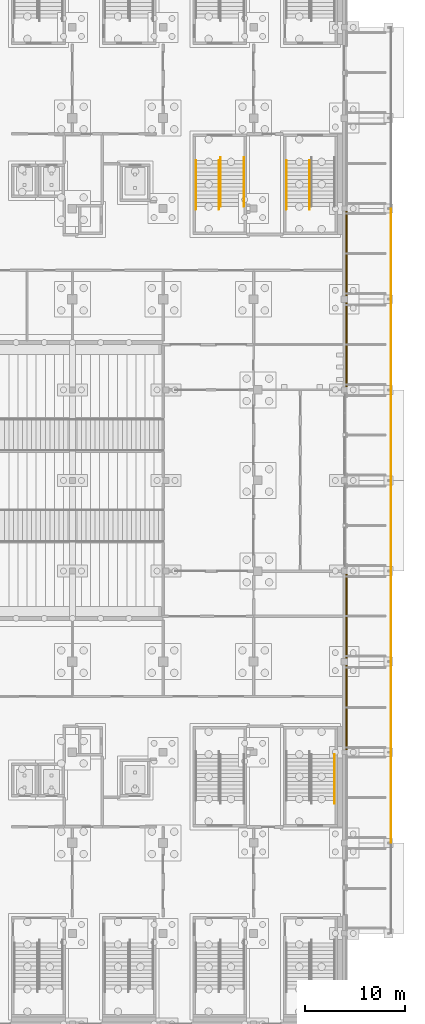
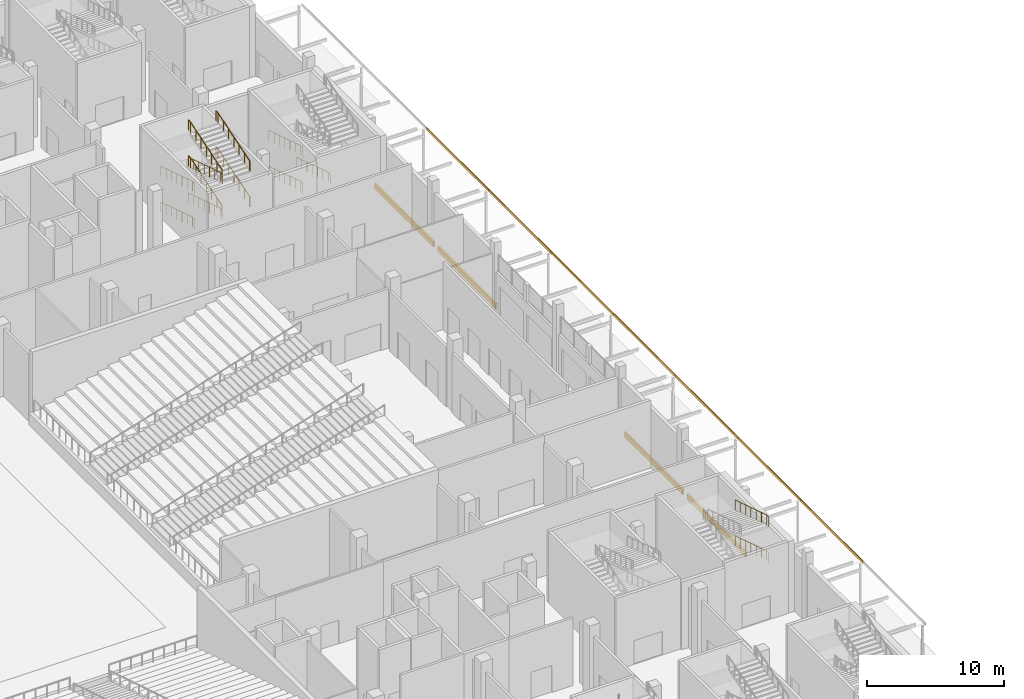
# One storey, part 119 of 129: 13 railings, 11 coverings.
"""IFC4 building model written with IfcOpenShell, lengths in metres."""

from ifc_helpers import new_model, si_unit, direction, frame, origin, origin_2d, place, context, subcontext, project, spatial, rectangle, circle, extrude, material, layer, layer_set, type_object, element, save


model = new_model("IFC4")

# Units and contexts
model_context = context("Model", 3, precision=1e-05, world=origin(), true_north=direction((0.0, 1.0)))
body_context = subcontext(model_context, "Body", "Model", "MODEL_VIEW")
ifc_project = project(units=[si_unit("LENGTHUNIT", "METRE"), si_unit("AREAUNIT", "SQUARE_METRE"), si_unit("VOLUMEUNIT", "CUBIC_METRE"), si_unit("PLANEANGLEUNIT", "RADIAN"), si_unit("MASSUNIT", "GRAM", prefix="KILO")], contexts=[model_context])

# Site, building, storey
site_placement = place(None, origin())
site = spatial("IfcSite", under=ifc_project, at=site_placement, CompositionType="ELEMENT")
building_placement = place(site_placement, origin())
building = spatial("IfcBuilding", under=site, at=building_placement, Name="Shirokan Park Arena", CompositionType="ELEMENT")
storey_placement = place(building_placement, origin())
storey = spatial("IfcBuildingStorey", under=building, at=storey_placement, Name="L00", CompositionType="ELEMENT", Elevation=0.0)

# Coverings
ifc_material_1 = material(Name="Timber fascia (cedar)", Category="wood")
ifc_layer_1 = layer(ifc_material_1, 0.050048828125)
ifc_layer_set_1 = layer_set([ifc_layer_1], Name="Timber fascia (cedar) 50 mm")
covering_type_1 = type_object("IfcCoveringType", Name="Canopy fascia 50x250", PredefinedType="CLADDING", material=ifc_layer_set_1)
for number, where, z_axis, x_axis, name in (
    (1, (150.27490234375, 22.75, 3.5), (0.0, 0.0, 1.0), (0.0, 1.0, 0.0), "Canopy fascia east bay 3"),
    (2, (150.27490234375, 31.85009765625, 3.5), (0.0, 0.0, 1.0), (0.0, 1.0, 0.0), "Canopy fascia east bay 4"),
    (3, (150.27490234375, 40.949951171875, 3.5), (0.0, 0.0, 1.0), (0.0, 1.0, 0.0), "Canopy fascia east bay 5"),
    (4, (150.27490234375, 50.050048828125, 3.5), (0.0, 0.0, 1.0), (0.0, 1.0, 0.0), "Canopy fascia east bay 6"),
    (5, (150.27490234375, 59.14990234375, 3.5), (0.0, 0.0, 1.0), (0.0, 1.0, 0.0), "Canopy fascia east bay 7"),
    (6, (150.27490234375, 68.25, 3.5), (0.0, 0.0, 1.0), (0.0, 1.0, 0.0), "Canopy fascia east bay 8"),
    (7, (150.27490234375, 77.35009765625, 3.5), (0.0, 0.0, 1.0), (0.0, 1.0, 0.0), "Canopy fascia east bay 9"),
):
    element("IfcCovering", number, at=place(storey_placement, frame(where, z_axis=z_axis, x_axis=x_axis)), inside=storey, type_object=covering_type_1, Name=name, PredefinedType="CLADDING", context=body_context, shape_type="SweptSolid", body=[
        extrude(rectangle(XDim=9.10009765625, YDim=0.050048828125, at=origin_2d()), origin(), (0.0, 0.0, 1.0), 0.25),
    ])

# Railings
ifc_material_2 = material(Name="Stainless steel", Category="steel")
railing_type = type_object("IfcRailingType", Name="Stair handrail 900", PredefinedType="HANDRAIL", material=ifc_material_2)
railing_1_placement = place(storey_placement, frame((144.610107421875, 27.070068359375, 1.715087890625)))
element("IfcRailing", 8, at=railing_1_placement, inside=storey, type_object=railing_type, Name="Handrail Exit Stair 2.E L00 to L01", PredefinedType="HANDRAIL", context=body_context, shape_type="SweptSolid", body=[
    extrude(circle(Radius=0.02392578125, at=origin_2d()), frame((0.0, 0.0, 0.8759765625), z_axis=(0.0, -0.952929747917, 0.303191186441), x_axis=(1.0, 0.0, 0.0)), (0.0, 0.0, 1.0), 1.6162109375),
    extrude(circle(Radius=0.02392578125, at=origin_2d()), frame((0.0, -1.5400390625, 1.36572265625), z_axis=(0.0, -0.952929747917, 0.303191186441), x_axis=(1.0, 0.0, 0.0)), (0.0, 0.0, 1.0), 1.6162109375),
    extrude(circle(Radius=0.02392578125, at=origin_2d()), frame((0.0, -3.080078125, 1.85595703125), z_axis=(0.0, -0.952929747917, 0.303191186441), x_axis=(1.0, 0.0, 0.0)), (0.0, 0.0, 1.0), 1.6162109375),
    extrude(circle(Radius=0.02392578125, at=origin_2d()), frame((0.0, -4.6201171875, 2.345703125), z_axis=(0.0, -1.0, 0.0), x_axis=(1.0, 0.0, 0.0)), (0.0, 0.0, 1.0), 0.300048828125),
    extrude(circle(Radius=0.02099609375, at=origin_2d()), origin(), (0.0, 0.0, 1.0), 0.851806640625),
    extrude(circle(Radius=0.02099609375, at=origin_2d()), frame((0.0, -0.77001953125, 0.2451171875)), (0.0, 0.0, 1.0), 0.851806640625),
    extrude(circle(Radius=0.02099609375, at=origin_2d()), frame((0.0, -1.5400390625, 0.489990234375)), (0.0, 0.0, 1.0), 0.851806640625),
    extrude(circle(Radius=0.02099609375, at=origin_2d()), frame((0.0, -2.31005859375, 0.73486328125)), (0.0, 0.0, 1.0), 0.851806640625),
    extrude(circle(Radius=0.02099609375, at=origin_2d()), frame((0.0, -3.080078125, 0.97998046875)), (0.0, 0.0, 1.0), 0.851806640625),
    extrude(circle(Radius=0.02099609375, at=origin_2d()), frame((0.0, -3.85009765625, 1.22509765625)), (0.0, 0.0, 1.0), 0.851806640625),
    extrude(circle(Radius=0.02099609375, at=origin_2d()), frame((0.0, -4.6201171875, 1.469970703125)), (0.0, 0.0, 1.0), 0.851806640625),
    extrude(circle(Radius=0.02099609375, at=origin_2d()), frame((0.0, -4.920166015625, 1.469970703125)), (0.0, 0.0, 1.0), 0.851806640625),
])
railing_2_placement = place(storey_placement, frame((144.610107421875, 27.070068359375, 4.89990234375)))
element("IfcRailing", 9, at=railing_2_placement, inside=storey, type_object=railing_type, Name="Handrail Exit Stair 2.E L00 to L01", PredefinedType="HANDRAIL", context=body_context, shape_type="SweptSolid", body=[
    extrude(circle(Radius=0.02392578125, at=origin_2d()), frame((0.0, 0.0, 0.8759765625), z_axis=(0.0, -0.952929747917, 0.303191186441), x_axis=(1.0, 0.0, 0.0)), (0.0, 0.0, 1.0), 1.6162109375),
    extrude(circle(Radius=0.02392578125, at=origin_2d()), frame((0.0, -1.5400390625, 1.36572265625), z_axis=(0.0, -0.952929747917, 0.303191186441), x_axis=(1.0, 0.0, 0.0)), (0.0, 0.0, 1.0), 1.6162109375),
    extrude(circle(Radius=0.02392578125, at=origin_2d()), frame((0.0, -3.080078125, 1.85595703125), z_axis=(0.0, -0.952886093821, 0.303328357069), x_axis=(1.0, 0.0, 0.0)), (0.0, 0.0, 1.0), 1.6162109375),
    extrude(circle(Radius=0.02392578125, at=origin_2d()), frame((0.0, -4.6201171875, 2.34619140625), z_axis=(0.0, -1.0, 0.0), x_axis=(1.0, 0.0, 0.0)), (0.0, 0.0, 1.0), 0.300048828125),
    extrude(circle(Radius=0.02099609375, at=origin_2d()), origin(), (0.0, 0.0, 1.0), 0.851806640625),
    extrude(circle(Radius=0.02099609375, at=origin_2d()), frame((0.0, -0.77001953125, 0.2451171875)), (0.0, 0.0, 1.0), 0.851806640625),
    extrude(circle(Radius=0.02099609375, at=origin_2d()), frame((0.0, -1.5400390625, 0.489990234375)), (0.0, 0.0, 1.0), 0.851806640625),
    extrude(circle(Radius=0.02099609375, at=origin_2d()), frame((0.0, -2.31005859375, 0.73486328125)), (0.0, 0.0, 1.0), 0.851806640625),
    extrude(circle(Radius=0.02099609375, at=origin_2d()), frame((0.0, -3.080078125, 0.97998046875)), (0.0, 0.0, 1.0), 0.851806640625),
    extrude(circle(Radius=0.02099609375, at=origin_2d()), frame((0.0, -3.85009765625, 1.22509765625)), (0.0, 0.0, 1.0), 0.851806640625),
    extrude(circle(Radius=0.02099609375, at=origin_2d()), frame((0.0, -4.6201171875, 1.47021484375)), (0.0, 0.0, 1.0), 0.851806640625),
    extrude(circle(Radius=0.02099609375, at=origin_2d()), frame((0.0, -4.920166015625, 1.47021484375)), (0.0, 0.0, 1.0), 0.851806640625),
])
railing_3_placement = place(storey_placement, frame((139.7900390625, 86.75, 0.12255859375)))
element("IfcRailing", 10, at=railing_3_placement, inside=storey, type_object=railing_type, Name="Handrail Exit Stair 3.E L00 to L01", PredefinedType="HANDRAIL", context=body_context, shape_type="SweptSolid", body=[
    extrude(circle(Radius=0.02392578125, at=origin_2d()), frame((0.0, 0.0, 0.8759765625), z_axis=(0.0, -0.952929747917, 0.303191186441), x_axis=(1.0, 0.0, 0.0)), (0.0, 0.0, 1.0), 1.6162109375),
    extrude(circle(Radius=0.02392578125, at=origin_2d()), frame((0.0, -1.5400390625, 1.36572265625), z_axis=(0.0, -0.952929747917, 0.303191186441), x_axis=(1.0, 0.0, 0.0)), (0.0, 0.0, 1.0), 1.6162109375),
    extrude(circle(Radius=0.02392578125, at=origin_2d()), frame((0.0, -3.080078125, 1.85595703125), z_axis=(0.0, -0.952929747917, 0.303191186441), x_axis=(1.0, 0.0, 0.0)), (0.0, 0.0, 1.0), 1.6162109375),
    extrude(circle(Radius=0.02392578125, at=origin_2d()), frame((0.0, -4.6201171875, 2.345703125), z_axis=(0.0, -1.0, 0.0), x_axis=(1.0, 0.0, 0.0)), (0.0, 0.0, 1.0), 0.2998046875),
    extrude(circle(Radius=0.02099609375, at=origin_2d()), origin(), (0.0, 0.0, 1.0), 0.851806640625),
    extrude(circle(Radius=0.02099609375, at=origin_2d()), frame((0.0, -0.77001953125, 0.2451171875)), (0.0, 0.0, 1.0), 0.851806640625),
    extrude(circle(Radius=0.02099609375, at=origin_2d()), frame((0.0, -1.5400390625, 0.489990234375)), (0.0, 0.0, 1.0), 0.851806640625),
    extrude(circle(Radius=0.02099609375, at=origin_2d()), frame((0.0, -2.31005859375, 0.73486328125)), (0.0, 0.0, 1.0), 0.851806640625),
    extrude(circle(Radius=0.02099609375, at=origin_2d()), frame((0.0, -3.080078125, 0.97998046875)), (0.0, 0.0, 1.0), 0.851806640625),
    extrude(circle(Radius=0.02099609375, at=origin_2d()), frame((0.0, -3.85009765625, 1.22509765625)), (0.0, 0.0, 1.0), 0.851806640625),
    extrude(circle(Radius=0.02099609375, at=origin_2d()), frame((0.0, -4.6201171875, 1.469970703125)), (0.0, 0.0, 1.0), 0.851806640625),
    extrude(circle(Radius=0.02099609375, at=origin_2d()), frame((0.0, -4.919921875, 1.469970703125)), (0.0, 0.0, 1.0), 0.851806640625),
])
railing_4_placement = place(storey_placement, frame((142.110107421875, 86.75, 0.12255859375)))
element("IfcRailing", 11, at=railing_4_placement, inside=storey, type_object=railing_type, Name="Handrail Exit Stair 3.E L00 to L01", PredefinedType="HANDRAIL", context=body_context, shape_type="SweptSolid", body=[
    extrude(circle(Radius=0.02392578125, at=origin_2d()), frame((0.0, 0.0, 0.8759765625), z_axis=(0.0, -0.952929747917, 0.303191186441), x_axis=(1.0, 0.0, 0.0)), (0.0, 0.0, 1.0), 1.6162109375),
    extrude(circle(Radius=0.02392578125, at=origin_2d()), frame((0.0, -1.5400390625, 1.36572265625), z_axis=(0.0, -0.952929747917, 0.303191186441), x_axis=(1.0, 0.0, 0.0)), (0.0, 0.0, 1.0), 1.6162109375),
    extrude(circle(Radius=0.02392578125, at=origin_2d()), frame((0.0, -3.080078125, 1.85595703125), z_axis=(0.0, -0.952929747917, 0.303191186441), x_axis=(1.0, 0.0, 0.0)), (0.0, 0.0, 1.0), 1.6162109375),
    extrude(circle(Radius=0.02392578125, at=origin_2d()), frame((0.0, -4.6201171875, 2.345703125), z_axis=(0.0, -1.0, 0.0), x_axis=(1.0, 0.0, 0.0)), (0.0, 0.0, 1.0), 0.2998046875),
    extrude(circle(Radius=0.02099609375, at=origin_2d()), origin(), (0.0, 0.0, 1.0), 0.851806640625),
    extrude(circle(Radius=0.02099609375, at=origin_2d()), frame((0.0, -0.77001953125, 0.2451171875)), (0.0, 0.0, 1.0), 0.851806640625),
    extrude(circle(Radius=0.02099609375, at=origin_2d()), frame((0.0, -1.5400390625, 0.489990234375)), (0.0, 0.0, 1.0), 0.851806640625),
    extrude(circle(Radius=0.02099609375, at=origin_2d()), frame((0.0, -2.31005859375, 0.73486328125)), (0.0, 0.0, 1.0), 0.851806640625),
    extrude(circle(Radius=0.02099609375, at=origin_2d()), frame((0.0, -3.080078125, 0.97998046875)), (0.0, 0.0, 1.0), 0.851806640625),
    extrude(circle(Radius=0.02099609375, at=origin_2d()), frame((0.0, -3.85009765625, 1.22509765625)), (0.0, 0.0, 1.0), 0.851806640625),
    extrude(circle(Radius=0.02099609375, at=origin_2d()), frame((0.0, -4.6201171875, 1.469970703125)), (0.0, 0.0, 1.0), 0.851806640625),
    extrude(circle(Radius=0.02099609375, at=origin_2d()), frame((0.0, -4.919921875, 1.469970703125)), (0.0, 0.0, 1.0), 0.851806640625),
])
railing_5_placement = place(storey_placement, frame((139.7900390625, 86.75, 3.3076171875)))
element("IfcRailing", 12, at=railing_5_placement, inside=storey, type_object=railing_type, Name="Handrail Exit Stair 3.E L00 to L01", PredefinedType="HANDRAIL", context=body_context, shape_type="SweptSolid", body=[
    extrude(circle(Radius=0.02392578125, at=origin_2d()), frame((0.0, 0.0, 0.8759765625), z_axis=(0.0, -0.952929747917, 0.303191186441), x_axis=(1.0, 0.0, 0.0)), (0.0, 0.0, 1.0), 1.6162109375),
    extrude(circle(Radius=0.02392578125, at=origin_2d()), frame((0.0, -1.5400390625, 1.36572265625), z_axis=(0.0, -0.952929747917, 0.303191186441), x_axis=(1.0, 0.0, 0.0)), (0.0, 0.0, 1.0), 1.6162109375),
    extrude(circle(Radius=0.02392578125, at=origin_2d()), frame((0.0, -3.080078125, 1.85595703125), z_axis=(0.0, -0.952929747917, 0.303191186441), x_axis=(1.0, 0.0, 0.0)), (0.0, 0.0, 1.0), 1.6162109375),
    extrude(circle(Radius=0.02392578125, at=origin_2d()), frame((0.0, -4.6201171875, 2.345703125), z_axis=(0.0, -1.0, 0.0), x_axis=(1.0, 0.0, 0.0)), (0.0, 0.0, 1.0), 0.2998046875),
    extrude(circle(Radius=0.02099609375, at=origin_2d()), origin(), (0.0, 0.0, 1.0), 0.851806640625),
    extrude(circle(Radius=0.02099609375, at=origin_2d()), frame((0.0, -0.77001953125, 0.2451171875)), (0.0, 0.0, 1.0), 0.851806640625),
    extrude(circle(Radius=0.02099609375, at=origin_2d()), frame((0.0, -1.5400390625, 0.489990234375)), (0.0, 0.0, 1.0), 0.851806640625),
    extrude(circle(Radius=0.02099609375, at=origin_2d()), frame((0.0, -2.31005859375, 0.73486328125)), (0.0, 0.0, 1.0), 0.851806640625),
    extrude(circle(Radius=0.02099609375, at=origin_2d()), frame((0.0, -3.080078125, 0.97998046875)), (0.0, 0.0, 1.0), 0.851806640625),
    extrude(circle(Radius=0.02099609375, at=origin_2d()), frame((0.0, -3.85009765625, 1.22509765625)), (0.0, 0.0, 1.0), 0.851806640625),
    extrude(circle(Radius=0.02099609375, at=origin_2d()), frame((0.0, -4.6201171875, 1.469970703125)), (0.0, 0.0, 1.0), 0.851806640625),
    extrude(circle(Radius=0.02099609375, at=origin_2d()), frame((0.0, -4.919921875, 1.469970703125)), (0.0, 0.0, 1.0), 0.851806640625),
])
railing_6_placement = place(storey_placement, frame((130.68994140625, 86.75, 0.12255859375)))
element("IfcRailing", 13, at=railing_6_placement, inside=storey, type_object=railing_type, Name="Handrail Exit Stair 3.F L00 to L01", PredefinedType="HANDRAIL", context=body_context, shape_type="SweptSolid", body=[
    extrude(circle(Radius=0.02392578125, at=origin_2d()), frame((0.0, 0.0, 0.8759765625), z_axis=(0.0, -0.952929747917, 0.303191186441), x_axis=(1.0, 0.0, 0.0)), (0.0, 0.0, 1.0), 1.6162109375),
    extrude(circle(Radius=0.02392578125, at=origin_2d()), frame((0.0, -1.5400390625, 1.36572265625), z_axis=(0.0, -0.952929747917, 0.303191186441), x_axis=(1.0, 0.0, 0.0)), (0.0, 0.0, 1.0), 1.6162109375),
    extrude(circle(Radius=0.02392578125, at=origin_2d()), frame((0.0, -3.080078125, 1.85595703125), z_axis=(0.0, -0.952929747917, 0.303191186441), x_axis=(1.0, 0.0, 0.0)), (0.0, 0.0, 1.0), 1.6162109375),
    extrude(circle(Radius=0.02392578125, at=origin_2d()), frame((0.0, -4.6201171875, 2.345703125), z_axis=(0.0, -1.0, 0.0), x_axis=(1.0, 0.0, 0.0)), (0.0, 0.0, 1.0), 0.2998046875),
    extrude(circle(Radius=0.02099609375, at=origin_2d()), origin(), (0.0, 0.0, 1.0), 0.851806640625),
    extrude(circle(Radius=0.02099609375, at=origin_2d()), frame((0.0, -0.77001953125, 0.2451171875)), (0.0, 0.0, 1.0), 0.851806640625),
    extrude(circle(Radius=0.02099609375, at=origin_2d()), frame((0.0, -1.5400390625, 0.489990234375)), (0.0, 0.0, 1.0), 0.851806640625),
    extrude(circle(Radius=0.02099609375, at=origin_2d()), frame((0.0, -2.31005859375, 0.73486328125)), (0.0, 0.0, 1.0), 0.851806640625),
    extrude(circle(Radius=0.02099609375, at=origin_2d()), frame((0.0, -3.080078125, 0.97998046875)), (0.0, 0.0, 1.0), 0.851806640625),
    extrude(circle(Radius=0.02099609375, at=origin_2d()), frame((0.0, -3.85009765625, 1.22509765625)), (0.0, 0.0, 1.0), 0.851806640625),
    extrude(circle(Radius=0.02099609375, at=origin_2d()), frame((0.0, -4.6201171875, 1.469970703125)), (0.0, 0.0, 1.0), 0.851806640625),
    extrude(circle(Radius=0.02099609375, at=origin_2d()), frame((0.0, -4.919921875, 1.469970703125)), (0.0, 0.0, 1.0), 0.851806640625),
])
railing_7_placement = place(storey_placement, frame((133.010009765625, 86.75, 0.12255859375)))
element("IfcRailing", 14, at=railing_7_placement, inside=storey, type_object=railing_type, Name="Handrail Exit Stair 3.F L00 to L01", PredefinedType="HANDRAIL", context=body_context, shape_type="SweptSolid", body=[
    extrude(circle(Radius=0.02392578125, at=origin_2d()), frame((0.0, 0.0, 0.8759765625), z_axis=(0.0, -0.952929747917, 0.303191186441), x_axis=(1.0, 0.0, 0.0)), (0.0, 0.0, 1.0), 1.6162109375),
    extrude(circle(Radius=0.02392578125, at=origin_2d()), frame((0.0, -1.5400390625, 1.36572265625), z_axis=(0.0, -0.952929747917, 0.303191186441), x_axis=(1.0, 0.0, 0.0)), (0.0, 0.0, 1.0), 1.6162109375),
    extrude(circle(Radius=0.02392578125, at=origin_2d()), frame((0.0, -3.080078125, 1.85595703125), z_axis=(0.0, -0.952929747917, 0.303191186441), x_axis=(1.0, 0.0, 0.0)), (0.0, 0.0, 1.0), 1.6162109375),
    extrude(circle(Radius=0.02392578125, at=origin_2d()), frame((0.0, -4.6201171875, 2.345703125), z_axis=(0.0, -1.0, 0.0), x_axis=(1.0, 0.0, 0.0)), (0.0, 0.0, 1.0), 0.2998046875),
    extrude(circle(Radius=0.02099609375, at=origin_2d()), origin(), (0.0, 0.0, 1.0), 0.851806640625),
    extrude(circle(Radius=0.02099609375, at=origin_2d()), frame((0.0, -0.77001953125, 0.2451171875)), (0.0, 0.0, 1.0), 0.851806640625),
    extrude(circle(Radius=0.02099609375, at=origin_2d()), frame((0.0, -1.5400390625, 0.489990234375)), (0.0, 0.0, 1.0), 0.851806640625),
    extrude(circle(Radius=0.02099609375, at=origin_2d()), frame((0.0, -2.31005859375, 0.73486328125)), (0.0, 0.0, 1.0), 0.851806640625),
    extrude(circle(Radius=0.02099609375, at=origin_2d()), frame((0.0, -3.080078125, 0.97998046875)), (0.0, 0.0, 1.0), 0.851806640625),
    extrude(circle(Radius=0.02099609375, at=origin_2d()), frame((0.0, -3.85009765625, 1.22509765625)), (0.0, 0.0, 1.0), 0.851806640625),
    extrude(circle(Radius=0.02099609375, at=origin_2d()), frame((0.0, -4.6201171875, 1.469970703125)), (0.0, 0.0, 1.0), 0.851806640625),
    extrude(circle(Radius=0.02099609375, at=origin_2d()), frame((0.0, -4.919921875, 1.469970703125)), (0.0, 0.0, 1.0), 0.851806640625),
])
railing_8_placement = place(storey_placement, frame((133.18994140625, 82.1298828125, 1.715087890625)))
element("IfcRailing", 15, at=railing_8_placement, inside=storey, type_object=railing_type, Name="Handrail Exit Stair 3.F L00 to L01", PredefinedType="HANDRAIL", context=body_context, shape_type="SweptSolid", body=[
    extrude(circle(Radius=0.02392578125, at=origin_2d()), frame((0.0, 0.0, 0.8759765625), z_axis=(0.0, 0.952929747917, 0.303191186441), x_axis=(-1.0, 0.0, 0.0)), (0.0, 0.0, 1.0), 1.6162109375),
    extrude(circle(Radius=0.02392578125, at=origin_2d()), frame((0.0, 1.5400390625, 1.36572265625), z_axis=(0.0, 0.952929747917, 0.303191186441), x_axis=(-1.0, 0.0, 0.0)), (0.0, 0.0, 1.0), 1.6162109375),
    extrude(circle(Radius=0.02392578125, at=origin_2d()), frame((0.0, 3.080078125, 1.85595703125), z_axis=(0.0, 0.952929747917, 0.303191186441), x_axis=(-1.0, 0.0, 0.0)), (0.0, 0.0, 1.0), 1.6162109375),
    extrude(circle(Radius=0.02392578125, at=origin_2d()), frame((0.0, 4.6201171875, 2.345703125), z_axis=(0.0, 1.0, 0.0), x_axis=(-1.0, 0.0, 0.0)), (0.0, 0.0, 1.0), 0.300048828125),
    extrude(circle(Radius=0.02099609375, at=origin_2d()), origin(), (0.0, 0.0, 1.0), 0.851806640625),
    extrude(circle(Radius=0.02099609375, at=origin_2d()), frame((0.0, 0.77001953125, 0.2451171875)), (0.0, 0.0, 1.0), 0.851806640625),
    extrude(circle(Radius=0.02099609375, at=origin_2d()), frame((0.0, 1.5400390625, 0.489990234375)), (0.0, 0.0, 1.0), 0.851806640625),
    extrude(circle(Radius=0.02099609375, at=origin_2d()), frame((0.0, 2.31005859375, 0.73486328125)), (0.0, 0.0, 1.0), 0.851806640625),
    extrude(circle(Radius=0.02099609375, at=origin_2d()), frame((0.0, 3.080078125, 0.97998046875)), (0.0, 0.0, 1.0), 0.851806640625),
    extrude(circle(Radius=0.02099609375, at=origin_2d()), frame((0.0, 3.85009765625, 1.22509765625)), (0.0, 0.0, 1.0), 0.851806640625),
    extrude(circle(Radius=0.02099609375, at=origin_2d()), frame((0.0, 4.6201171875, 1.469970703125)), (0.0, 0.0, 1.0), 0.851806640625),
    extrude(circle(Radius=0.02099609375, at=origin_2d()), frame((0.0, 4.920166015625, 1.469970703125)), (0.0, 0.0, 1.0), 0.851806640625),
])
railing_9_placement = place(storey_placement, frame((135.510009765625, 82.1298828125, 1.715087890625)))
element("IfcRailing", 16, at=railing_9_placement, inside=storey, type_object=railing_type, Name="Handrail Exit Stair 3.F L00 to L01", PredefinedType="HANDRAIL", context=body_context, shape_type="SweptSolid", body=[
    extrude(circle(Radius=0.02392578125, at=origin_2d()), frame((0.0, 0.0, 0.8759765625), z_axis=(0.0, 0.952929747917, 0.303191186441), x_axis=(-1.0, 0.0, 0.0)), (0.0, 0.0, 1.0), 1.6162109375),
    extrude(circle(Radius=0.02392578125, at=origin_2d()), frame((0.0, 1.5400390625, 1.36572265625), z_axis=(0.0, 0.952929747917, 0.303191186441), x_axis=(-1.0, 0.0, 0.0)), (0.0, 0.0, 1.0), 1.6162109375),
    extrude(circle(Radius=0.02392578125, at=origin_2d()), frame((0.0, 3.080078125, 1.85595703125), z_axis=(0.0, 0.952929747917, 0.303191186441), x_axis=(-1.0, 0.0, 0.0)), (0.0, 0.0, 1.0), 1.6162109375),
    extrude(circle(Radius=0.02392578125, at=origin_2d()), frame((0.0, 4.6201171875, 2.345703125), z_axis=(0.0, 1.0, 0.0), x_axis=(-1.0, 0.0, 0.0)), (0.0, 0.0, 1.0), 0.300048828125),
    extrude(circle(Radius=0.02099609375, at=origin_2d()), origin(), (0.0, 0.0, 1.0), 0.851806640625),
    extrude(circle(Radius=0.02099609375, at=origin_2d()), frame((0.0, 0.77001953125, 0.2451171875)), (0.0, 0.0, 1.0), 0.851806640625),
    extrude(circle(Radius=0.02099609375, at=origin_2d()), frame((0.0, 1.5400390625, 0.489990234375)), (0.0, 0.0, 1.0), 0.851806640625),
    extrude(circle(Radius=0.02099609375, at=origin_2d()), frame((0.0, 2.31005859375, 0.73486328125)), (0.0, 0.0, 1.0), 0.851806640625),
    extrude(circle(Radius=0.02099609375, at=origin_2d()), frame((0.0, 3.080078125, 0.97998046875)), (0.0, 0.0, 1.0), 0.851806640625),
    extrude(circle(Radius=0.02099609375, at=origin_2d()), frame((0.0, 3.85009765625, 1.22509765625)), (0.0, 0.0, 1.0), 0.851806640625),
    extrude(circle(Radius=0.02099609375, at=origin_2d()), frame((0.0, 4.6201171875, 1.469970703125)), (0.0, 0.0, 1.0), 0.851806640625),
    extrude(circle(Radius=0.02099609375, at=origin_2d()), frame((0.0, 4.920166015625, 1.469970703125)), (0.0, 0.0, 1.0), 0.851806640625),
])
railing_10_placement = place(storey_placement, frame((130.68994140625, 86.75, 3.3076171875)))
element("IfcRailing", 17, at=railing_10_placement, inside=storey, type_object=railing_type, Name="Handrail Exit Stair 3.F L00 to L01", PredefinedType="HANDRAIL", context=body_context, shape_type="SweptSolid", body=[
    extrude(circle(Radius=0.02392578125, at=origin_2d()), frame((0.0, 0.0, 0.8759765625), z_axis=(0.0, -0.952929747917, 0.303191186441), x_axis=(1.0, 0.0, 0.0)), (0.0, 0.0, 1.0), 1.6162109375),
    extrude(circle(Radius=0.02392578125, at=origin_2d()), frame((0.0, -1.5400390625, 1.36572265625), z_axis=(0.0, -0.952929747917, 0.303191186441), x_axis=(1.0, 0.0, 0.0)), (0.0, 0.0, 1.0), 1.6162109375),
    extrude(circle(Radius=0.02392578125, at=origin_2d()), frame((0.0, -3.080078125, 1.85595703125), z_axis=(0.0, -0.952929747917, 0.303191186441), x_axis=(1.0, 0.0, 0.0)), (0.0, 0.0, 1.0), 1.6162109375),
    extrude(circle(Radius=0.02392578125, at=origin_2d()), frame((0.0, -4.6201171875, 2.345703125), z_axis=(0.0, -1.0, 0.0), x_axis=(1.0, 0.0, 0.0)), (0.0, 0.0, 1.0), 0.2998046875),
    extrude(circle(Radius=0.02099609375, at=origin_2d()), origin(), (0.0, 0.0, 1.0), 0.851806640625),
    extrude(circle(Radius=0.02099609375, at=origin_2d()), frame((0.0, -0.77001953125, 0.2451171875)), (0.0, 0.0, 1.0), 0.851806640625),
    extrude(circle(Radius=0.02099609375, at=origin_2d()), frame((0.0, -1.5400390625, 0.489990234375)), (0.0, 0.0, 1.0), 0.851806640625),
    extrude(circle(Radius=0.02099609375, at=origin_2d()), frame((0.0, -2.31005859375, 0.73486328125)), (0.0, 0.0, 1.0), 0.851806640625),
    extrude(circle(Radius=0.02099609375, at=origin_2d()), frame((0.0, -3.080078125, 0.97998046875)), (0.0, 0.0, 1.0), 0.851806640625),
    extrude(circle(Radius=0.02099609375, at=origin_2d()), frame((0.0, -3.85009765625, 1.22509765625)), (0.0, 0.0, 1.0), 0.851806640625),
    extrude(circle(Radius=0.02099609375, at=origin_2d()), frame((0.0, -4.6201171875, 1.469970703125)), (0.0, 0.0, 1.0), 0.851806640625),
    extrude(circle(Radius=0.02099609375, at=origin_2d()), frame((0.0, -4.919921875, 1.469970703125)), (0.0, 0.0, 1.0), 0.851806640625),
])
railing_11_placement = place(storey_placement, frame((133.010009765625, 86.75, 3.3076171875)))
element("IfcRailing", 18, at=railing_11_placement, inside=storey, type_object=railing_type, Name="Handrail Exit Stair 3.F L00 to L01", PredefinedType="HANDRAIL", context=body_context, shape_type="SweptSolid", body=[
    extrude(circle(Radius=0.02392578125, at=origin_2d()), frame((0.0, 0.0, 0.8759765625), z_axis=(0.0, -0.952929747917, 0.303191186441), x_axis=(1.0, 0.0, 0.0)), (0.0, 0.0, 1.0), 1.6162109375),
    extrude(circle(Radius=0.02392578125, at=origin_2d()), frame((0.0, -1.5400390625, 1.36572265625), z_axis=(0.0, -0.952929747917, 0.303191186441), x_axis=(1.0, 0.0, 0.0)), (0.0, 0.0, 1.0), 1.6162109375),
    extrude(circle(Radius=0.02392578125, at=origin_2d()), frame((0.0, -3.080078125, 1.85595703125), z_axis=(0.0, -0.952929747917, 0.303191186441), x_axis=(1.0, 0.0, 0.0)), (0.0, 0.0, 1.0), 1.6162109375),
    extrude(circle(Radius=0.02392578125, at=origin_2d()), frame((0.0, -4.6201171875, 2.345703125), z_axis=(0.0, -1.0, 0.0), x_axis=(1.0, 0.0, 0.0)), (0.0, 0.0, 1.0), 0.2998046875),
    extrude(circle(Radius=0.02099609375, at=origin_2d()), origin(), (0.0, 0.0, 1.0), 0.851806640625),
    extrude(circle(Radius=0.02099609375, at=origin_2d()), frame((0.0, -0.77001953125, 0.2451171875)), (0.0, 0.0, 1.0), 0.851806640625),
    extrude(circle(Radius=0.02099609375, at=origin_2d()), frame((0.0, -1.5400390625, 0.489990234375)), (0.0, 0.0, 1.0), 0.851806640625),
    extrude(circle(Radius=0.02099609375, at=origin_2d()), frame((0.0, -2.31005859375, 0.73486328125)), (0.0, 0.0, 1.0), 0.851806640625),
    extrude(circle(Radius=0.02099609375, at=origin_2d()), frame((0.0, -3.080078125, 0.97998046875)), (0.0, 0.0, 1.0), 0.851806640625),
    extrude(circle(Radius=0.02099609375, at=origin_2d()), frame((0.0, -3.85009765625, 1.22509765625)), (0.0, 0.0, 1.0), 0.851806640625),
    extrude(circle(Radius=0.02099609375, at=origin_2d()), frame((0.0, -4.6201171875, 1.469970703125)), (0.0, 0.0, 1.0), 0.851806640625),
    extrude(circle(Radius=0.02099609375, at=origin_2d()), frame((0.0, -4.919921875, 1.469970703125)), (0.0, 0.0, 1.0), 0.851806640625),
])
railing_12_placement = place(storey_placement, frame((133.18994140625, 82.1298828125, 4.89990234375)))
element("IfcRailing", 19, at=railing_12_placement, inside=storey, type_object=railing_type, Name="Handrail Exit Stair 3.F L00 to L01", PredefinedType="HANDRAIL", context=body_context, shape_type="SweptSolid", body=[
    extrude(circle(Radius=0.02392578125, at=origin_2d()), frame((0.0, 0.0, 0.8759765625), z_axis=(0.0, 0.952929747917, 0.303191186441), x_axis=(-1.0, 0.0, 0.0)), (0.0, 0.0, 1.0), 1.6162109375),
    extrude(circle(Radius=0.02392578125, at=origin_2d()), frame((0.0, 1.5400390625, 1.36572265625), z_axis=(0.0, 0.952929747917, 0.303191186441), x_axis=(-1.0, 0.0, 0.0)), (0.0, 0.0, 1.0), 1.6162109375),
    extrude(circle(Radius=0.02392578125, at=origin_2d()), frame((0.0, 3.080078125, 1.85595703125), z_axis=(0.0, 0.952886093821, 0.303328357069), x_axis=(-1.0, 0.0, 0.0)), (0.0, 0.0, 1.0), 1.6162109375),
    extrude(circle(Radius=0.02392578125, at=origin_2d()), frame((0.0, 4.6201171875, 2.34619140625), z_axis=(0.0, 1.0, 0.0), x_axis=(-1.0, 0.0, 0.0)), (0.0, 0.0, 1.0), 0.300048828125),
    extrude(circle(Radius=0.02099609375, at=origin_2d()), origin(), (0.0, 0.0, 1.0), 0.851806640625),
    extrude(circle(Radius=0.02099609375, at=origin_2d()), frame((0.0, 0.77001953125, 0.2451171875)), (0.0, 0.0, 1.0), 0.851806640625),
    extrude(circle(Radius=0.02099609375, at=origin_2d()), frame((0.0, 1.5400390625, 0.489990234375)), (0.0, 0.0, 1.0), 0.851806640625),
    extrude(circle(Radius=0.02099609375, at=origin_2d()), frame((0.0, 2.31005859375, 0.73486328125)), (0.0, 0.0, 1.0), 0.851806640625),
    extrude(circle(Radius=0.02099609375, at=origin_2d()), frame((0.0, 3.080078125, 0.97998046875)), (0.0, 0.0, 1.0), 0.851806640625),
    extrude(circle(Radius=0.02099609375, at=origin_2d()), frame((0.0, 3.85009765625, 1.22509765625)), (0.0, 0.0, 1.0), 0.851806640625),
    extrude(circle(Radius=0.02099609375, at=origin_2d()), frame((0.0, 4.6201171875, 1.47021484375)), (0.0, 0.0, 1.0), 0.851806640625),
    extrude(circle(Radius=0.02099609375, at=origin_2d()), frame((0.0, 4.920166015625, 1.47021484375)), (0.0, 0.0, 1.0), 0.851806640625),
])
railing_13_placement = place(storey_placement, frame((135.510009765625, 82.1298828125, 4.89990234375)))
element("IfcRailing", 20, at=railing_13_placement, inside=storey, type_object=railing_type, Name="Handrail Exit Stair 3.F L00 to L01", PredefinedType="HANDRAIL", context=body_context, shape_type="SweptSolid", body=[
    extrude(circle(Radius=0.02392578125, at=origin_2d()), frame((0.0, 0.0, 0.8759765625), z_axis=(0.0, 0.952929747917, 0.303191186441), x_axis=(-1.0, 0.0, 0.0)), (0.0, 0.0, 1.0), 1.6162109375),
    extrude(circle(Radius=0.02392578125, at=origin_2d()), frame((0.0, 1.5400390625, 1.36572265625), z_axis=(0.0, 0.952929747917, 0.303191186441), x_axis=(-1.0, 0.0, 0.0)), (0.0, 0.0, 1.0), 1.6162109375),
    extrude(circle(Radius=0.02392578125, at=origin_2d()), frame((0.0, 3.080078125, 1.85595703125), z_axis=(0.0, 0.952886093821, 0.303328357069), x_axis=(-1.0, 0.0, 0.0)), (0.0, 0.0, 1.0), 1.6162109375),
    extrude(circle(Radius=0.02392578125, at=origin_2d()), frame((0.0, 4.6201171875, 2.34619140625), z_axis=(0.0, 1.0, 0.0), x_axis=(-1.0, 0.0, 0.0)), (0.0, 0.0, 1.0), 0.300048828125),
    extrude(circle(Radius=0.02099609375, at=origin_2d()), origin(), (0.0, 0.0, 1.0), 0.851806640625),
    extrude(circle(Radius=0.02099609375, at=origin_2d()), frame((0.0, 0.77001953125, 0.2451171875)), (0.0, 0.0, 1.0), 0.851806640625),
    extrude(circle(Radius=0.02099609375, at=origin_2d()), frame((0.0, 1.5400390625, 0.489990234375)), (0.0, 0.0, 1.0), 0.851806640625),
    extrude(circle(Radius=0.02099609375, at=origin_2d()), frame((0.0, 2.31005859375, 0.73486328125)), (0.0, 0.0, 1.0), 0.851806640625),
    extrude(circle(Radius=0.02099609375, at=origin_2d()), frame((0.0, 3.080078125, 0.97998046875)), (0.0, 0.0, 1.0), 0.851806640625),
    extrude(circle(Radius=0.02099609375, at=origin_2d()), frame((0.0, 3.85009765625, 1.22509765625)), (0.0, 0.0, 1.0), 0.851806640625),
    extrude(circle(Radius=0.02099609375, at=origin_2d()), frame((0.0, 4.6201171875, 1.47021484375)), (0.0, 0.0, 1.0), 0.851806640625),
    extrude(circle(Radius=0.02099609375, at=origin_2d()), frame((0.0, 4.920166015625, 1.47021484375)), (0.0, 0.0, 1.0), 0.851806640625),
])

# Coverings
ifc_material_3 = material(Name="Natural stone", Category="masonry")
ifc_layer_2 = layer(ifc_material_3, 0.14990234375)
ifc_layer_set_2 = layer_set([ifc_layer_2], Name="Natural stone 150 mm")
covering_type_2 = type_object("IfcCoveringType", Name="Stone plinth 150x450", PredefinedType="CLADDING", material=ifc_layer_set_2)
covering_1_placement = place(storey_placement, frame((145.824951171875, 31.8125, 0.0), z_axis=(0.0, 0.0, 1.0), x_axis=(0.0, 1.0, 0.0)))
element("IfcCovering", 21, at=covering_1_placement, inside=storey, type_object=covering_type_2, Name="Stone plinth east bay 4", PredefinedType="CLADDING", context=body_context, shape_type="SweptSolid", body=[
    extrude(rectangle(XDim=8.52490234375, YDim=0.14990234375, at=origin_2d()), origin(), (0.0, 0.0, 1.0), 0.449951171875),
])
for number, where, z_axis, x_axis, name in (
    (22, (145.824951171875, 40.96240234375, 0.0), (0.0, 0.0, 1.0), (0.0, 1.0, 0.0), "Stone plinth east bay 5"),
    (23, (145.824951171875, 68.237548828125, 0.0), (0.0, 0.0, 1.0), (0.0, 1.0, 0.0), "Stone plinth east bay 8"),
):
    element("IfcCovering", number, at=place(storey_placement, frame(where, z_axis=z_axis, x_axis=x_axis)), inside=storey, type_object=covering_type_2, Name=name, PredefinedType="CLADDING", context=body_context, shape_type="SweptSolid", body=[
        extrude(rectangle(XDim=8.47509765625, YDim=0.14990234375, at=origin_2d()), origin(), (0.0, 0.0, 1.0), 0.449951171875),
    ])
covering_2_placement = place(storey_placement, frame((145.824951171875, 77.387451171875, 0.0), z_axis=(0.0, 0.0, 1.0), x_axis=(0.0, 1.0, 0.0)))
element("IfcCovering", 24, at=covering_2_placement, inside=storey, type_object=covering_type_2, Name="Stone plinth east bay 9", PredefinedType="CLADDING", context=body_context, shape_type="SweptSolid", body=[
    extrude(rectangle(XDim=8.52490234375, YDim=0.14990234375, at=origin_2d()), origin(), (0.0, 0.0, 1.0), 0.449951171875),
])

save(model, "model.ifc")
